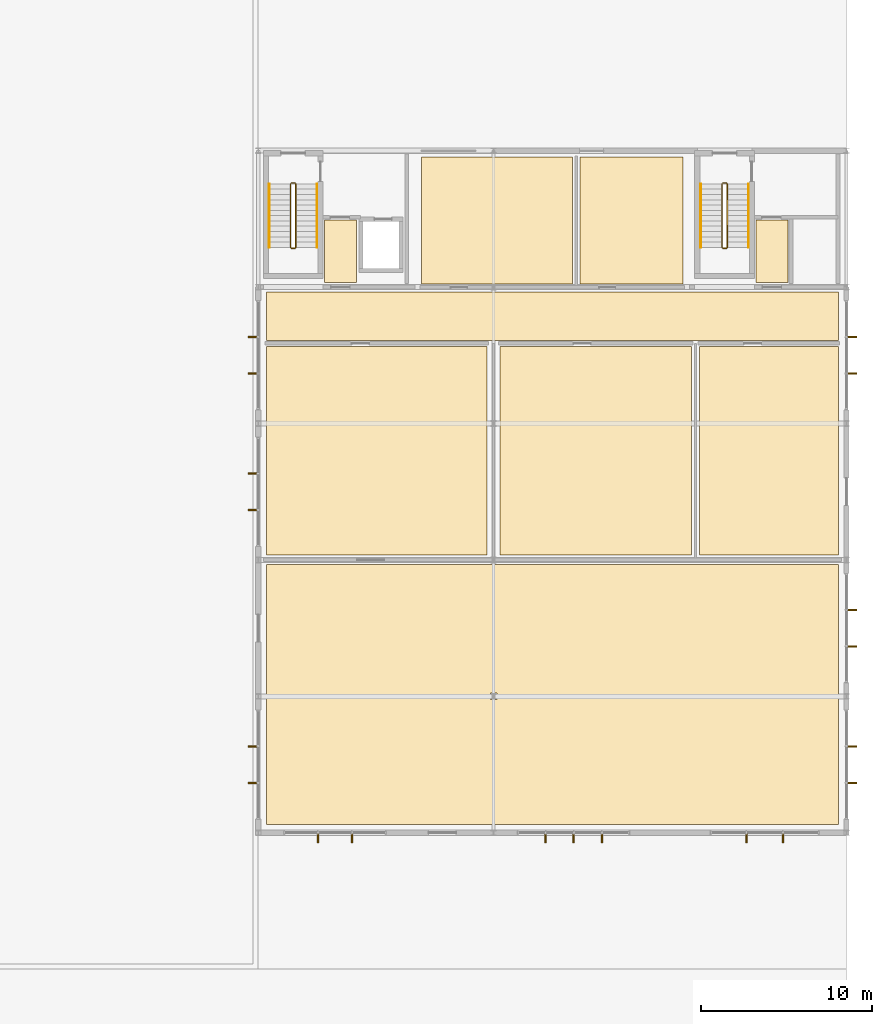
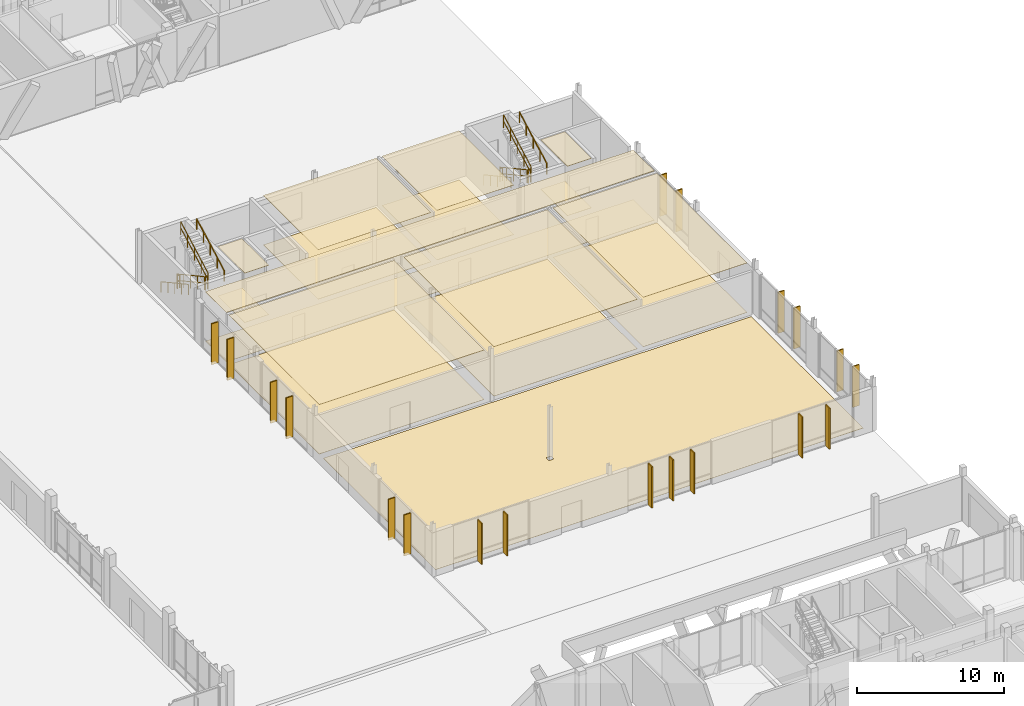
# One storey, part 230 of 233: 19 shading devices, 17 coverings, 12 railings.
"""IFC4 building model written with IfcOpenShell, lengths in metres."""

from ifc_helpers import new_model, si_unit, direction, frame, origin, origin_2d, place, context, subcontext, project, spatial, polyline, rectangle, outline, extrude, material, layer, layer_set, type_object, element, save


model = new_model("IFC4")

# Units and contexts
model_context = context("Model", 3, precision=1e-05, world=origin(), true_north=direction((0.0, 1.0)))
body_context = subcontext(model_context, "Body", "Model", "MODEL_VIEW")
ifc_project = project(units=[si_unit("LENGTHUNIT", "METRE"), si_unit("AREAUNIT", "SQUARE_METRE"), si_unit("VOLUMEUNIT", "CUBIC_METRE"), si_unit("PLANEANGLEUNIT", "RADIAN"), si_unit("MASSUNIT", "GRAM", prefix="KILO")], contexts=[model_context])

# Site, building, storey
site_placement = place(None, origin())
site = spatial("IfcSite", under=ifc_project, at=site_placement, CompositionType="ELEMENT")
building_placement = place(site_placement, origin())
building = spatial("IfcBuilding", under=site, at=building_placement, Name="Zavelmont Quarter", CompositionType="ELEMENT")
storey_placement = place(building_placement, origin())
storey = spatial("IfcBuildingStorey", under=building, at=storey_placement, Name="L00", CompositionType="ELEMENT", Elevation=0.0)

# Coverings
ifc_material_1 = material(Name="Perforated acoustic gypsum board")
ifc_layer_1 = layer(ifc_material_1, 0.02490234375)
ifc_layer_set_1 = layer_set([ifc_layer_1], Name="Perforated acoustic gypsum board")
covering_type_1 = type_object("IfcCoveringType", Name="CV-CL01", PredefinedType="CEILING", material=ifc_layer_set_1)
covering_1_placement = place(storey_placement, frame((0.0, 0.0, 4.094970703125)))
element("IfcCovering", 1, at=covering_1_placement, inside=storey, type_object=covering_type_1, Name="L00 Lobby Vestibule acoustic ceiling", PredefinedType="CEILING", context=body_context, shape_type="SweptSolid", body=[
    extrude(outline(polyline([(137.3798828125, 73.919921875), (139.27001953125, 73.919921875), (139.27001953125, 70.280029296875), (137.3798828125, 70.280029296875), (137.3798828125, 73.919921875)])), origin(), (0.0, 0.0, 1.0), 0.025146484375),
])
covering_2_placement = place(storey_placement, frame((0.0, 0.0, 4.094970703125)))
element("IfcCovering", 2, at=covering_2_placement, inside=storey, type_object=covering_type_1, Name="L00 Lobby Vestibule acoustic ceiling", PredefinedType="CEILING", context=body_context, shape_type="SweptSolid", body=[
    extrude(outline(polyline([(162.679931640625, 73.919921875), (164.570068359375, 73.919921875), (164.570068359375, 70.280029296875), (162.679931640625, 70.280029296875), (162.679931640625, 73.919921875)])), origin(), (0.0, 0.0, 1.0), 0.025146484375),
])
ifc_material_2 = material(Name="Mineral-fibre hygienic acoustic tile")
ifc_layer_2 = layer(ifc_material_2, 0.031982421875)
ifc_layer_set_2 = layer_set([ifc_layer_2], Name="Mineral-fibre hygienic acoustic tile")
covering_type_2 = type_object("IfcCoveringType", Name="CV-CL03", PredefinedType="CEILING", material=ifc_layer_set_2)
covering_3_placement = place(storey_placement, frame((0.0, 0.0, 4.087890625)))
element("IfcCovering", 3, at=covering_3_placement, inside=storey, type_object=covering_type_2, Name="L00 Nursery Corridor acoustic ceiling", PredefinedType="CEILING", context=body_context, shape_type="SweptSolid", body=[
    extrude(outline(polyline([(133.97998046875, 69.719970703125), (167.52001953125, 69.719970703125), (167.52001953125, 66.8798828125), (133.97998046875, 66.8798828125), (133.97998046875, 69.719970703125)])), origin(), (0.0, 0.0, 1.0), 0.0322265625),
])
covering_4_placement = place(storey_placement, frame((0.0, 0.0, 4.087890625)))
element("IfcCovering", 4, at=covering_4_placement, inside=storey, type_object=covering_type_2, Name="L00 Toddler Classroom West acoustic ceiling", PredefinedType="CEILING", context=body_context, shape_type="SweptSolid", body=[
    extrude(outline(polyline([(133.97998046875, 66.52001953125), (146.919921875, 66.52001953125), (146.919921875, 54.280029296875), (133.97998046875, 54.280029296875), (133.97998046875, 66.52001953125)])), origin(), (0.0, 0.0, 1.0), 0.0322265625),
])
covering_5_placement = place(storey_placement, frame((0.0, 0.0, 4.087890625)))
element("IfcCovering", 5, at=covering_5_placement, inside=storey, type_object=covering_type_2, Name="L00 Preschool Classroom East acoustic ceiling", PredefinedType="CEILING", context=body_context, shape_type="SweptSolid", body=[
    extrude(outline(polyline([(147.679931640625, 66.52001953125), (158.919921875, 66.52001953125), (158.919921875, 54.280029296875), (147.679931640625, 54.280029296875), (147.679931640625, 66.52001953125)])), origin(), (0.0, 0.0, 1.0), 0.0322265625),
])
covering_6_placement = place(storey_placement, frame((0.0, 0.0, 4.087890625)))
element("IfcCovering", 6, at=covering_6_placement, inside=storey, type_object=covering_type_2, Name="L00 Nursery Dining and Milk Kitchen acoustic ceiling", PredefinedType="CEILING", context=body_context, shape_type="SweptSolid", body=[
    extrude(outline(polyline([(159.3798828125, 66.52001953125), (167.52001953125, 66.52001953125), (167.52001953125, 54.280029296875), (159.3798828125, 54.280029296875), (159.3798828125, 66.52001953125)])), origin(), (0.0, 0.0, 1.0), 0.0322265625),
])
ifc_material_3 = material(Name="Moisture-resistant painted gypsum ceiling")
ifc_layer_3 = layer(ifc_material_3, 0.02001953125)
ifc_layer_set_3 = layer_set([ifc_layer_3], Name="Moisture-resistant painted gypsum ceiling")
covering_type_3 = type_object("IfcCoveringType", Name="CV-CL04", PredefinedType="CEILING", material=ifc_layer_set_3)
covering_7_placement = place(storey_placement, frame((0.0, 0.0, 4.10009765625)))
element("IfcCovering", 7, at=covering_7_placement, inside=storey, type_object=covering_type_3, Name="L00 Nursery Childrens Washroom acoustic ceiling", PredefinedType="CEILING", context=body_context, shape_type="SweptSolid", body=[
    extrude(outline(polyline([(143.080078125, 77.6201171875), (151.919921875, 77.6201171875), (151.919921875, 70.179931640625), (147.489990234375, 70.179931640625), (147.489990234375, 70.18994140625), (147.110107421875, 70.18994140625), (147.110107421875, 70.179931640625), (143.080078125, 70.179931640625), (143.080078125, 77.6201171875)])), origin(), (0.0, 0.0, 1.0), 0.02001953125),
])
covering_8_placement = place(storey_placement, frame((0.0, 0.0, 4.10009765625)))
element("IfcCovering", 8, at=covering_8_placement, inside=storey, type_object=covering_type_3, Name="L00 Nursery Accessible Toilet acoustic ceiling", PredefinedType="CEILING", context=body_context, shape_type="SweptSolid", body=[
    extrude(outline(polyline([(152.3798828125, 77.6201171875), (158.419921875, 77.6201171875), (158.419921875, 70.179931640625), (152.3798828125, 70.179931640625), (152.3798828125, 77.6201171875)])), origin(), (0.0, 0.0, 1.0), 0.02001953125),
])
ifc_material_4 = material(Name="Engineered European oak parquet")
ifc_layer_4 = layer(ifc_material_4, 0.02197265625)
ifc_layer_set_4 = layer_set([ifc_layer_4], Name="Engineered European oak parquet")
covering_type_4 = type_object("IfcCoveringType", Name="CV-FL01", PredefinedType="FLOORING", material=ifc_layer_set_4)
covering_9_placement = place(storey_placement, origin())
element("IfcCovering", 9, at=covering_9_placement, inside=storey, type_object=covering_type_4, Name="L00 Lobby Vestibule floor finish", PredefinedType="FLOORING", context=body_context, shape_type="SweptSolid", body=[
    extrude(outline(polyline([(137.3798828125, 73.919921875), (139.27001953125, 73.919921875), (139.27001953125, 70.280029296875), (137.3798828125, 70.280029296875), (137.3798828125, 73.919921875)])), origin(), (0.0, 0.0, 1.0), 0.02197265625),
])
covering_10_placement = place(storey_placement, origin())
element("IfcCovering", 10, at=covering_10_placement, inside=storey, type_object=covering_type_4, Name="L00 Lobby Vestibule floor finish", PredefinedType="FLOORING", context=body_context, shape_type="SweptSolid", body=[
    extrude(outline(polyline([(162.679931640625, 73.919921875), (164.570068359375, 73.919921875), (164.570068359375, 70.280029296875), (162.679931640625, 70.280029296875), (162.679931640625, 73.919921875)])), origin(), (0.0, 0.0, 1.0), 0.02197265625),
])
ifc_material_5 = material(Name="Acoustic natural linoleum")
ifc_layer_5 = layer(ifc_material_5, 0.01806640625)
ifc_layer_set_5 = layer_set([ifc_layer_5], Name="Acoustic natural linoleum")
covering_type_5 = type_object("IfcCoveringType", Name="CV-FL03", PredefinedType="FLOORING", material=ifc_layer_set_5)
covering_11_placement = place(storey_placement, origin())
element("IfcCovering", 11, at=covering_11_placement, inside=storey, type_object=covering_type_5, Name="L00 Nursery Play Hall floor finish", PredefinedType="FLOORING", context=body_context, shape_type="SweptSolid", body=[
    extrude(outline(polyline([(133.97998046875, 53.719970703125), (167.52001953125, 53.719970703125), (167.52001953125, 38.47998046875), (133.97998046875, 38.47998046875), (133.97998046875, 53.719970703125)]), holes=[polyline([(147.489990234375, 46.18994140625), (147.110107421875, 46.18994140625), (147.110107421875, 45.81005859375), (147.489990234375, 45.81005859375), (147.489990234375, 46.18994140625)])]), origin(), (0.0, 0.0, 1.0), 0.01806640625),
])
covering_12_placement = place(storey_placement, origin())
element("IfcCovering", 12, at=covering_12_placement, inside=storey, type_object=covering_type_5, Name="L00 Nursery Corridor floor finish", PredefinedType="FLOORING", context=body_context, shape_type="SweptSolid", body=[
    extrude(outline(polyline([(133.97998046875, 69.719970703125), (167.52001953125, 69.719970703125), (167.52001953125, 66.8798828125), (133.97998046875, 66.8798828125), (133.97998046875, 69.719970703125)])), origin(), (0.0, 0.0, 1.0), 0.01806640625),
])
covering_13_placement = place(storey_placement, origin())
element("IfcCovering", 13, at=covering_13_placement, inside=storey, type_object=covering_type_5, Name="L00 Toddler Classroom West floor finish", PredefinedType="FLOORING", context=body_context, shape_type="SweptSolid", body=[
    extrude(outline(polyline([(133.97998046875, 66.52001953125), (146.919921875, 66.52001953125), (146.919921875, 54.280029296875), (133.97998046875, 54.280029296875), (133.97998046875, 66.52001953125)])), origin(), (0.0, 0.0, 1.0), 0.01806640625),
])
covering_14_placement = place(storey_placement, origin())
element("IfcCovering", 14, at=covering_14_placement, inside=storey, type_object=covering_type_5, Name="L00 Preschool Classroom East floor finish", PredefinedType="FLOORING", context=body_context, shape_type="SweptSolid", body=[
    extrude(outline(polyline([(147.679931640625, 66.52001953125), (158.919921875, 66.52001953125), (158.919921875, 54.280029296875), (147.679931640625, 54.280029296875), (147.679931640625, 66.52001953125)])), origin(), (0.0, 0.0, 1.0), 0.01806640625),
])
covering_15_placement = place(storey_placement, origin())
element("IfcCovering", 15, at=covering_15_placement, inside=storey, type_object=covering_type_5, Name="L00 Nursery Dining and Milk Kitchen floor finish", PredefinedType="FLOORING", context=body_context, shape_type="SweptSolid", body=[
    extrude(outline(polyline([(159.3798828125, 66.52001953125), (167.52001953125, 66.52001953125), (167.52001953125, 54.280029296875), (159.3798828125, 54.280029296875), (159.3798828125, 66.52001953125)])), origin(), (0.0, 0.0, 1.0), 0.01806640625),
])
ifc_material_6 = material(Name="Slip-resistant porcelain tile")
ifc_layer_6 = layer(ifc_material_6, 0.02587890625)
ifc_layer_set_6 = layer_set([ifc_layer_6], Name="Slip-resistant porcelain tile")
covering_type_6 = type_object("IfcCoveringType", Name="CV-FL04", PredefinedType="FLOORING", material=ifc_layer_set_6)
covering_16_placement = place(storey_placement, origin())
element("IfcCovering", 16, at=covering_16_placement, inside=storey, type_object=covering_type_6, Name="L00 Nursery Childrens Washroom floor finish", PredefinedType="FLOORING", context=body_context, shape_type="SweptSolid", body=[
    extrude(outline(polyline([(143.080078125, 77.6201171875), (151.919921875, 77.6201171875), (151.919921875, 70.179931640625), (147.489990234375, 70.179931640625), (147.489990234375, 70.18994140625), (147.110107421875, 70.18994140625), (147.110107421875, 70.179931640625), (143.080078125, 70.179931640625), (143.080078125, 77.6201171875)])), origin(), (0.0, 0.0, 1.0), 0.02587890625),
])
covering_17_placement = place(storey_placement, origin())
element("IfcCovering", 17, at=covering_17_placement, inside=storey, type_object=covering_type_6, Name="L00 Nursery Accessible Toilet floor finish", PredefinedType="FLOORING", context=body_context, shape_type="SweptSolid", body=[
    extrude(outline(polyline([(152.3798828125, 77.6201171875), (158.419921875, 77.6201171875), (158.419921875, 70.179931640625), (152.3798828125, 70.179931640625), (152.3798828125, 77.6201171875)])), origin(), (0.0, 0.0, 1.0), 0.02587890625),
])

# Railings
ifc_material_7 = material(Name="Powder-coated steel stair guardrail", Category="steel")
railing_type_1 = type_object("IfcRailingType", Name="RL-GRD1", PredefinedType="GUARDRAIL", material=ifc_material_7)
railing_1_placement = place(storey_placement, frame((135.39990234375, 76.050048828125, 0.169189453125)))
element("IfcRailing", 18, at=railing_1_placement, inside=storey, type_object=railing_type_1, Name="L00 ST11 stair guardrail 1", PredefinedType="GUARDRAIL", context=body_context, shape_type="SweptSolid", body=[
    extrude(rectangle(XDim=0.048095703125, YDim=0.048095703125, at=origin_2d()), frame((0.0, 0.0, 1.076171875), z_axis=(0.0, -0.877728207833, 0.479158839191), x_axis=(1.0, 0.0, 0.0)), (0.0, 0.0, 1.0), 4.23828125),
    extrude(rectangle(XDim=0.048095703125, YDim=0.048095703125, at=origin_2d()), frame((0.0, 0.0, 0.550048828125), z_axis=(0.0, -0.877728207833, 0.479158839191), x_axis=(1.0, 0.0, 0.0)), (0.0, 0.0, 1.0), 4.23828125),
    extrude(rectangle(XDim=0.0419921875, YDim=0.0419921875, at=origin_2d()), origin(), (0.0, 0.0, 1.0), 1.052001953125),
    extrude(rectangle(XDim=0.0419921875, YDim=0.0419921875, at=origin_2d()), frame((0.0, -0.929931640625, 0.5078125)), (0.0, 0.0, 1.0), 1.052001953125),
    extrude(rectangle(XDim=0.0419921875, YDim=0.0419921875, at=origin_2d()), frame((0.0, -1.85986328125, 1.015380859375)), (0.0, 0.0, 1.0), 1.052001953125),
    extrude(rectangle(XDim=0.0419921875, YDim=0.0419921875, at=origin_2d()), frame((0.0, -2.7900390625, 1.52294921875)), (0.0, 0.0, 1.0), 1.052001953125),
    extrude(rectangle(XDim=0.0419921875, YDim=0.0419921875, at=origin_2d()), frame((0.0, -3.719970703125, 2.03076171875)), (0.0, 0.0, 1.0), 1.052001953125),
])
railing_2_placement = place(storey_placement, frame((135.449951171875, 72.280029296875, 2.199951171875)))
element("IfcRailing", 19, at=railing_2_placement, inside=storey, type_object=railing_type_1, Name="L00 ST11 stair guardrail 2", PredefinedType="GUARDRAIL", context=body_context, shape_type="SweptSolid", body=[
    extrude(rectangle(XDim=0.048095703125, YDim=0.048095703125, at=origin_2d()), frame((0.0, 0.0, 1.076171875), z_axis=(1.0, 0.0, 0.0), x_axis=(0.0, 1.0, 0.0)), (0.0, 0.0, 1.0), 0.199951171875),
    extrude(rectangle(XDim=0.048095703125, YDim=0.048095703125, at=origin_2d()), frame((0.0, 0.0, 0.550048828125), z_axis=(1.0, 0.0, 0.0), x_axis=(0.0, 1.0, 0.0)), (0.0, 0.0, 1.0), 0.199951171875),
    extrude(rectangle(XDim=0.0419921875, YDim=0.0419921875, at=origin_2d()), origin(), (0.0, 0.0, 1.0), 1.052001953125),
    extrude(rectangle(XDim=0.0419921875, YDim=0.0419921875, at=origin_2d()), frame((0.199951171875, 0.0, 0.0)), (0.0, 0.0, 1.0), 1.052001953125),
])
railing_3_placement = place(storey_placement, frame((135.699951171875, 72.330078125, 2.369140625)))
element("IfcRailing", 20, at=railing_3_placement, inside=storey, type_object=railing_type_1, Name="L00 ST11 stair guardrail 3", PredefinedType="GUARDRAIL", context=body_context, shape_type="SweptSolid", body=[
    extrude(rectangle(XDim=0.048095703125, YDim=0.048095703125, at=origin_2d()), frame((0.0, 0.0, 1.076171875), z_axis=(0.0, 0.877728207833, 0.479158839191), x_axis=(-1.0, 0.0, 0.0)), (0.0, 0.0, 1.0), 4.23828125),
    extrude(rectangle(XDim=0.048095703125, YDim=0.048095703125, at=origin_2d()), frame((0.0, 0.0, 0.550048828125), z_axis=(0.0, 0.877728207833, 0.479158839191), x_axis=(-1.0, 0.0, 0.0)), (0.0, 0.0, 1.0), 4.23828125),
    extrude(rectangle(XDim=0.0419921875, YDim=0.0419921875, at=origin_2d()), origin(), (0.0, 0.0, 1.0), 1.052001953125),
    extrude(rectangle(XDim=0.0419921875, YDim=0.0419921875, at=origin_2d()), frame((0.0, 0.929931640625, 0.5078125)), (0.0, 0.0, 1.0), 1.052001953125),
    extrude(rectangle(XDim=0.0419921875, YDim=0.0419921875, at=origin_2d()), frame((0.0, 1.85986328125, 1.015380859375)), (0.0, 0.0, 1.0), 1.052001953125),
    extrude(rectangle(XDim=0.0419921875, YDim=0.0419921875, at=origin_2d()), frame((0.0, 2.7900390625, 1.52294921875)), (0.0, 0.0, 1.0), 1.052001953125),
    extrude(rectangle(XDim=0.0419921875, YDim=0.0419921875, at=origin_2d()), frame((0.0, 3.719970703125, 2.03076171875)), (0.0, 0.0, 1.0), 1.052001953125),
])
railing_4_placement = place(storey_placement, frame((135.449951171875, 76.10009765625, 0.0)))
element("IfcRailing", 21, at=railing_4_placement, inside=storey, type_object=railing_type_1, Name="L00 ST11 stair guardrail 4", PredefinedType="GUARDRAIL", context=body_context, shape_type="SweptSolid", body=[
    extrude(rectangle(XDim=0.048095703125, YDim=0.048095703125, at=origin_2d()), frame((0.0, 0.0, 1.076171875), z_axis=(1.0, 0.0, 0.0), x_axis=(0.0, 1.0, 0.0)), (0.0, 0.0, 1.0), 0.199951171875),
    extrude(rectangle(XDim=0.048095703125, YDim=0.048095703125, at=origin_2d()), frame((0.0, 0.0, 0.550048828125), z_axis=(1.0, 0.0, 0.0), x_axis=(0.0, 1.0, 0.0)), (0.0, 0.0, 1.0), 0.199951171875),
    extrude(rectangle(XDim=0.0419921875, YDim=0.0419921875, at=origin_2d()), origin(), (0.0, 0.0, 1.0), 1.052001953125),
    extrude(rectangle(XDim=0.0419921875, YDim=0.0419921875, at=origin_2d()), frame((0.199951171875, 0.0, 0.0)), (0.0, 0.0, 1.0), 1.052001953125),
])
railing_5_placement = place(storey_placement, frame((160.699951171875, 76.050048828125, 0.169189453125)))
element("IfcRailing", 22, at=railing_5_placement, inside=storey, type_object=railing_type_1, Name="L00 ST12 stair guardrail 1", PredefinedType="GUARDRAIL", context=body_context, shape_type="SweptSolid", body=[
    extrude(rectangle(XDim=0.048095703125, YDim=0.048095703125, at=origin_2d()), frame((0.0, 0.0, 1.076171875), z_axis=(0.0, -0.877728207833, 0.479158839191), x_axis=(1.0, 0.0, 0.0)), (0.0, 0.0, 1.0), 4.23828125),
    extrude(rectangle(XDim=0.048095703125, YDim=0.048095703125, at=origin_2d()), frame((0.0, 0.0, 0.550048828125), z_axis=(0.0, -0.877728207833, 0.479158839191), x_axis=(1.0, 0.0, 0.0)), (0.0, 0.0, 1.0), 4.23828125),
    extrude(rectangle(XDim=0.0419921875, YDim=0.0419921875, at=origin_2d()), origin(), (0.0, 0.0, 1.0), 1.052001953125),
    extrude(rectangle(XDim=0.0419921875, YDim=0.0419921875, at=origin_2d()), frame((0.0, -0.929931640625, 0.5078125)), (0.0, 0.0, 1.0), 1.052001953125),
    extrude(rectangle(XDim=0.0419921875, YDim=0.0419921875, at=origin_2d()), frame((0.0, -1.85986328125, 1.015380859375)), (0.0, 0.0, 1.0), 1.052001953125),
    extrude(rectangle(XDim=0.0419921875, YDim=0.0419921875, at=origin_2d()), frame((0.0, -2.7900390625, 1.52294921875)), (0.0, 0.0, 1.0), 1.052001953125),
    extrude(rectangle(XDim=0.0419921875, YDim=0.0419921875, at=origin_2d()), frame((0.0, -3.719970703125, 2.03076171875)), (0.0, 0.0, 1.0), 1.052001953125),
])
railing_6_placement = place(storey_placement, frame((160.75, 72.280029296875, 2.199951171875)))
element("IfcRailing", 23, at=railing_6_placement, inside=storey, type_object=railing_type_1, Name="L00 ST12 stair guardrail 2", PredefinedType="GUARDRAIL", context=body_context, shape_type="SweptSolid", body=[
    extrude(rectangle(XDim=0.048095703125, YDim=0.048095703125, at=origin_2d()), frame((0.0, 0.0, 1.076171875), z_axis=(1.0, 0.0, 0.0), x_axis=(0.0, 1.0, 0.0)), (0.0, 0.0, 1.0), 0.199951171875),
    extrude(rectangle(XDim=0.048095703125, YDim=0.048095703125, at=origin_2d()), frame((0.0, 0.0, 0.550048828125), z_axis=(1.0, 0.0, 0.0), x_axis=(0.0, 1.0, 0.0)), (0.0, 0.0, 1.0), 0.199951171875),
    extrude(rectangle(XDim=0.0419921875, YDim=0.0419921875, at=origin_2d()), origin(), (0.0, 0.0, 1.0), 1.052001953125),
    extrude(rectangle(XDim=0.0419921875, YDim=0.0419921875, at=origin_2d()), frame((0.199951171875, 0.0, 0.0)), (0.0, 0.0, 1.0), 1.052001953125),
])
railing_7_placement = place(storey_placement, frame((161.0, 72.330078125, 2.369140625)))
element("IfcRailing", 24, at=railing_7_placement, inside=storey, type_object=railing_type_1, Name="L00 ST12 stair guardrail 3", PredefinedType="GUARDRAIL", context=body_context, shape_type="SweptSolid", body=[
    extrude(rectangle(XDim=0.048095703125, YDim=0.048095703125, at=origin_2d()), frame((0.0, 0.0, 1.076171875), z_axis=(0.0, 0.877728207833, 0.479158839191), x_axis=(-1.0, 0.0, 0.0)), (0.0, 0.0, 1.0), 4.23828125),
    extrude(rectangle(XDim=0.048095703125, YDim=0.048095703125, at=origin_2d()), frame((0.0, 0.0, 0.550048828125), z_axis=(0.0, 0.877728207833, 0.479158839191), x_axis=(-1.0, 0.0, 0.0)), (0.0, 0.0, 1.0), 4.23828125),
    extrude(rectangle(XDim=0.0419921875, YDim=0.0419921875, at=origin_2d()), origin(), (0.0, 0.0, 1.0), 1.052001953125),
    extrude(rectangle(XDim=0.0419921875, YDim=0.0419921875, at=origin_2d()), frame((0.0, 0.929931640625, 0.5078125)), (0.0, 0.0, 1.0), 1.052001953125),
    extrude(rectangle(XDim=0.0419921875, YDim=0.0419921875, at=origin_2d()), frame((0.0, 1.85986328125, 1.015380859375)), (0.0, 0.0, 1.0), 1.052001953125),
    extrude(rectangle(XDim=0.0419921875, YDim=0.0419921875, at=origin_2d()), frame((0.0, 2.7900390625, 1.52294921875)), (0.0, 0.0, 1.0), 1.052001953125),
    extrude(rectangle(XDim=0.0419921875, YDim=0.0419921875, at=origin_2d()), frame((0.0, 3.719970703125, 2.03076171875)), (0.0, 0.0, 1.0), 1.052001953125),
])
railing_8_placement = place(storey_placement, frame((160.75, 76.10009765625, 0.0)))
element("IfcRailing", 25, at=railing_8_placement, inside=storey, type_object=railing_type_1, Name="L00 ST12 stair guardrail 4", PredefinedType="GUARDRAIL", context=body_context, shape_type="SweptSolid", body=[
    extrude(rectangle(XDim=0.048095703125, YDim=0.048095703125, at=origin_2d()), frame((0.0, 0.0, 1.076171875), z_axis=(1.0, 0.0, 0.0), x_axis=(0.0, 1.0, 0.0)), (0.0, 0.0, 1.0), 0.199951171875),
    extrude(rectangle(XDim=0.048095703125, YDim=0.048095703125, at=origin_2d()), frame((0.0, 0.0, 0.550048828125), z_axis=(1.0, 0.0, 0.0), x_axis=(0.0, 1.0, 0.0)), (0.0, 0.0, 1.0), 0.199951171875),
    extrude(rectangle(XDim=0.0419921875, YDim=0.0419921875, at=origin_2d()), origin(), (0.0, 0.0, 1.0), 1.052001953125),
    extrude(rectangle(XDim=0.0419921875, YDim=0.0419921875, at=origin_2d()), frame((0.199951171875, 0.0, 0.0)), (0.0, 0.0, 1.0), 1.052001953125),
])
ifc_material_8 = material(Name="Brushed stainless-steel wall handrail", Category="steel")
railing_type_2 = type_object("IfcRailingType", Name="RL-HND1", PredefinedType="HANDRAIL", material=ifc_material_8)
railing_9_placement = place(storey_placement, frame((134.14990234375, 76.050048828125, 0.169189453125)))
element("IfcRailing", 26, at=railing_9_placement, inside=storey, type_object=railing_type_2, Name="L00 ST11 stair handrail 1", PredefinedType="HANDRAIL", context=body_context, shape_type="SweptSolid", body=[
    extrude(rectangle(XDim=0.048095703125, YDim=0.048095703125, at=origin_2d()), frame((0.0, 0.0, 0.8759765625), z_axis=(0.0, -0.877728207833, 0.479158839191), x_axis=(1.0, 0.0, 0.0)), (0.0, 0.0, 1.0), 4.23828125),
    extrude(rectangle(XDim=0.0419921875, YDim=0.0419921875, at=origin_2d()), origin(), (0.0, 0.0, 1.0), 0.851806640625),
    extrude(rectangle(XDim=0.0419921875, YDim=0.0419921875, at=origin_2d()), frame((0.0, -0.929931640625, 0.5078125)), (0.0, 0.0, 1.0), 0.851806640625),
    extrude(rectangle(XDim=0.0419921875, YDim=0.0419921875, at=origin_2d()), frame((0.0, -1.85986328125, 1.015380859375)), (0.0, 0.0, 1.0), 0.851806640625),
    extrude(rectangle(XDim=0.0419921875, YDim=0.0419921875, at=origin_2d()), frame((0.0, -2.7900390625, 1.52294921875)), (0.0, 0.0, 1.0), 0.851806640625),
    extrude(rectangle(XDim=0.0419921875, YDim=0.0419921875, at=origin_2d()), frame((0.0, -3.719970703125, 2.03076171875)), (0.0, 0.0, 1.0), 0.851806640625),
])
railing_10_placement = place(storey_placement, frame((136.949951171875, 72.330078125, 2.369140625)))
element("IfcRailing", 27, at=railing_10_placement, inside=storey, type_object=railing_type_2, Name="L00 ST11 stair handrail 2", PredefinedType="HANDRAIL", context=body_context, shape_type="SweptSolid", body=[
    extrude(rectangle(XDim=0.048095703125, YDim=0.048095703125, at=origin_2d()), frame((0.0, 0.0, 0.8759765625), z_axis=(0.0, 0.877728207833, 0.479158839191), x_axis=(-1.0, 0.0, 0.0)), (0.0, 0.0, 1.0), 4.23828125),
    extrude(rectangle(XDim=0.0419921875, YDim=0.0419921875, at=origin_2d()), origin(), (0.0, 0.0, 1.0), 0.851806640625),
    extrude(rectangle(XDim=0.0419921875, YDim=0.0419921875, at=origin_2d()), frame((0.0, 0.929931640625, 0.5078125)), (0.0, 0.0, 1.0), 0.851806640625),
    extrude(rectangle(XDim=0.0419921875, YDim=0.0419921875, at=origin_2d()), frame((0.0, 1.85986328125, 1.015380859375)), (0.0, 0.0, 1.0), 0.851806640625),
    extrude(rectangle(XDim=0.0419921875, YDim=0.0419921875, at=origin_2d()), frame((0.0, 2.7900390625, 1.52294921875)), (0.0, 0.0, 1.0), 0.851806640625),
    extrude(rectangle(XDim=0.0419921875, YDim=0.0419921875, at=origin_2d()), frame((0.0, 3.719970703125, 2.03076171875)), (0.0, 0.0, 1.0), 0.851806640625),
])
railing_11_placement = place(storey_placement, frame((159.449951171875, 76.050048828125, 0.169189453125)))
element("IfcRailing", 28, at=railing_11_placement, inside=storey, type_object=railing_type_2, Name="L00 ST12 stair handrail 1", PredefinedType="HANDRAIL", context=body_context, shape_type="SweptSolid", body=[
    extrude(rectangle(XDim=0.048095703125, YDim=0.048095703125, at=origin_2d()), frame((0.0, 0.0, 0.8759765625), z_axis=(0.0, -0.877728207833, 0.479158839191), x_axis=(1.0, 0.0, 0.0)), (0.0, 0.0, 1.0), 4.23828125),
    extrude(rectangle(XDim=0.0419921875, YDim=0.0419921875, at=origin_2d()), origin(), (0.0, 0.0, 1.0), 0.851806640625),
    extrude(rectangle(XDim=0.0419921875, YDim=0.0419921875, at=origin_2d()), frame((0.0, -0.929931640625, 0.5078125)), (0.0, 0.0, 1.0), 0.851806640625),
    extrude(rectangle(XDim=0.0419921875, YDim=0.0419921875, at=origin_2d()), frame((0.0, -1.85986328125, 1.015380859375)), (0.0, 0.0, 1.0), 0.851806640625),
    extrude(rectangle(XDim=0.0419921875, YDim=0.0419921875, at=origin_2d()), frame((0.0, -2.7900390625, 1.52294921875)), (0.0, 0.0, 1.0), 0.851806640625),
    extrude(rectangle(XDim=0.0419921875, YDim=0.0419921875, at=origin_2d()), frame((0.0, -3.719970703125, 2.03076171875)), (0.0, 0.0, 1.0), 0.851806640625),
])
railing_12_placement = place(storey_placement, frame((162.25, 72.330078125, 2.369140625)))
element("IfcRailing", 29, at=railing_12_placement, inside=storey, type_object=railing_type_2, Name="L00 ST12 stair handrail 2", PredefinedType="HANDRAIL", context=body_context, shape_type="SweptSolid", body=[
    extrude(rectangle(XDim=0.048095703125, YDim=0.048095703125, at=origin_2d()), frame((0.0, 0.0, 0.8759765625), z_axis=(0.0, 0.877728207833, 0.479158839191), x_axis=(-1.0, 0.0, 0.0)), (0.0, 0.0, 1.0), 4.23828125),
    extrude(rectangle(XDim=0.0419921875, YDim=0.0419921875, at=origin_2d()), origin(), (0.0, 0.0, 1.0), 0.851806640625),
    extrude(rectangle(XDim=0.0419921875, YDim=0.0419921875, at=origin_2d()), frame((0.0, 0.929931640625, 0.5078125)), (0.0, 0.0, 1.0), 0.851806640625),
    extrude(rectangle(XDim=0.0419921875, YDim=0.0419921875, at=origin_2d()), frame((0.0, 1.85986328125, 1.015380859375)), (0.0, 0.0, 1.0), 0.851806640625),
    extrude(rectangle(XDim=0.0419921875, YDim=0.0419921875, at=origin_2d()), frame((0.0, 2.7900390625, 1.52294921875)), (0.0, 0.0, 1.0), 0.851806640625),
    extrude(rectangle(XDim=0.0419921875, YDim=0.0419921875, at=origin_2d()), frame((0.0, 3.719970703125, 2.03076171875)), (0.0, 0.0, 1.0), 0.851806640625),
])

# Shading devices
ifc_material_9 = material(Name="Anodised aluminium EN AW-6063-T6", Category="aluminium")
shading_device_type = type_object("IfcShadingDeviceType", Name="SD04", PredefinedType="JALOUSIE", material=ifc_material_9)
for number, where, z_axis, x_axis, name in (
    (30, (133.169921875, 40.933349609375, 0.050048828125), (0.0, 0.0, 1.0), (0.0, 1.0, 0.0), "L00 solar brise-soleil fin SD04"),
    (31, (133.169921875, 43.066650390625, 0.050048828125), (0.0, 0.0, 1.0), (0.0, 1.0, 0.0), "L00 solar brise-soleil fin SD04"),
    (32, (133.169921875, 56.933349609375, 0.050048828125), (0.0, 0.0, 1.0), (0.0, 1.0, 0.0), "L00 solar brise-soleil fin SD04"),
    (33, (133.169921875, 59.066650390625, 0.050048828125), (0.0, 0.0, 1.0), (0.0, 1.0, 0.0), "L00 solar brise-soleil fin SD04"),
    (34, (133.169921875, 64.933349609375, 0.050048828125), (0.0, 0.0, 1.0), (0.0, 1.0, 0.0), "L00 solar brise-soleil fin SD04"),
    (35, (133.169921875, 67.066650390625, 0.050048828125), (0.0, 0.0, 1.0), (0.0, 1.0, 0.0), "L00 solar brise-soleil fin SD04"),
    (36, (168.330078125, 40.933349609375, 0.050048828125), (0.0, 0.0, 1.0), (0.0, 1.0, 0.0), "L00 solar brise-soleil fin SD04"),
    (37, (168.330078125, 43.066650390625, 0.050048828125), (0.0, 0.0, 1.0), (0.0, 1.0, 0.0), "L00 solar brise-soleil fin SD04"),
    (38, (168.330078125, 48.933349609375, 0.050048828125), (0.0, 0.0, 1.0), (0.0, 1.0, 0.0), "L00 solar brise-soleil fin SD04"),
    (39, (168.330078125, 51.066650390625, 0.050048828125), (0.0, 0.0, 1.0), (0.0, 1.0, 0.0), "L00 solar brise-soleil fin SD04"),
    (40, (168.330078125, 64.933349609375, 0.050048828125), (0.0, 0.0, 1.0), (0.0, 1.0, 0.0), "L00 solar brise-soleil fin SD04"),
    (41, (168.330078125, 67.066650390625, 0.050048828125), (0.0, 0.0, 1.0), (0.0, 1.0, 0.0), "L00 solar brise-soleil fin SD04"),
    (42, (137.0, 37.669921875, 0.050048828125), (0.0, 0.0, 1.0), (1.0, 0.0, 0.0), "L00 solar brise-soleil fin SD04"),
    (43, (139.0, 37.669921875, 0.050048828125), (0.0, 0.0, 1.0), (1.0, 0.0, 0.0), "L00 solar brise-soleil fin SD04"),
    (44, (150.35009765625, 37.669921875, 0.050048828125), (0.0, 0.0, 1.0), (1.0, 0.0, 0.0), "L00 solar brise-soleil fin SD04"),
    (45, (152.0, 37.669921875, 0.050048828125), (0.0, 0.0, 1.0), (1.0, 0.0, 0.0), "L00 solar brise-soleil fin SD04"),
    (46, (153.64990234375, 37.669921875, 0.050048828125), (0.0, 0.0, 1.0), (1.0, 0.0, 0.0), "L00 solar brise-soleil fin SD04"),
    (47, (162.13330078125, 37.669921875, 0.050048828125), (0.0, 0.0, 1.0), (1.0, 0.0, 0.0), "L00 solar brise-soleil fin SD04"),
    (48, (164.2666015625, 37.669921875, 0.050048828125), (0.0, 0.0, 1.0), (1.0, 0.0, 0.0), "L00 solar brise-soleil fin SD04"),
):
    element("IfcShadingDevice", number, at=place(storey_placement, frame(where, z_axis=z_axis, x_axis=x_axis)), inside=storey, type_object=shading_device_type, Name=name, PredefinedType="JALOUSIE", context=body_context, shape_type="SweptSolid", body=[
        extrude(rectangle(XDim=0.090087890625, YDim=0.52001953125, at=origin_2d()), origin(), (0.0, 0.0, 1.0), 3.39990234375),
    ])

save(model, "model.ifc")
